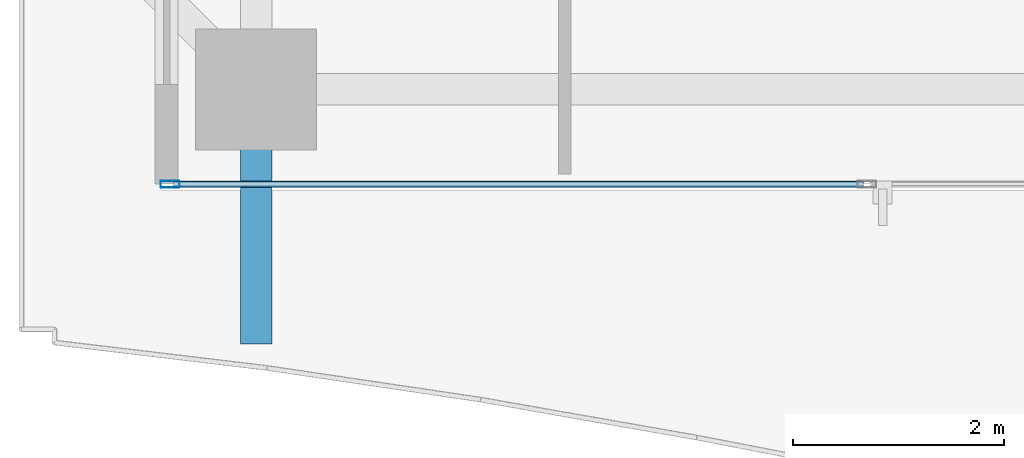
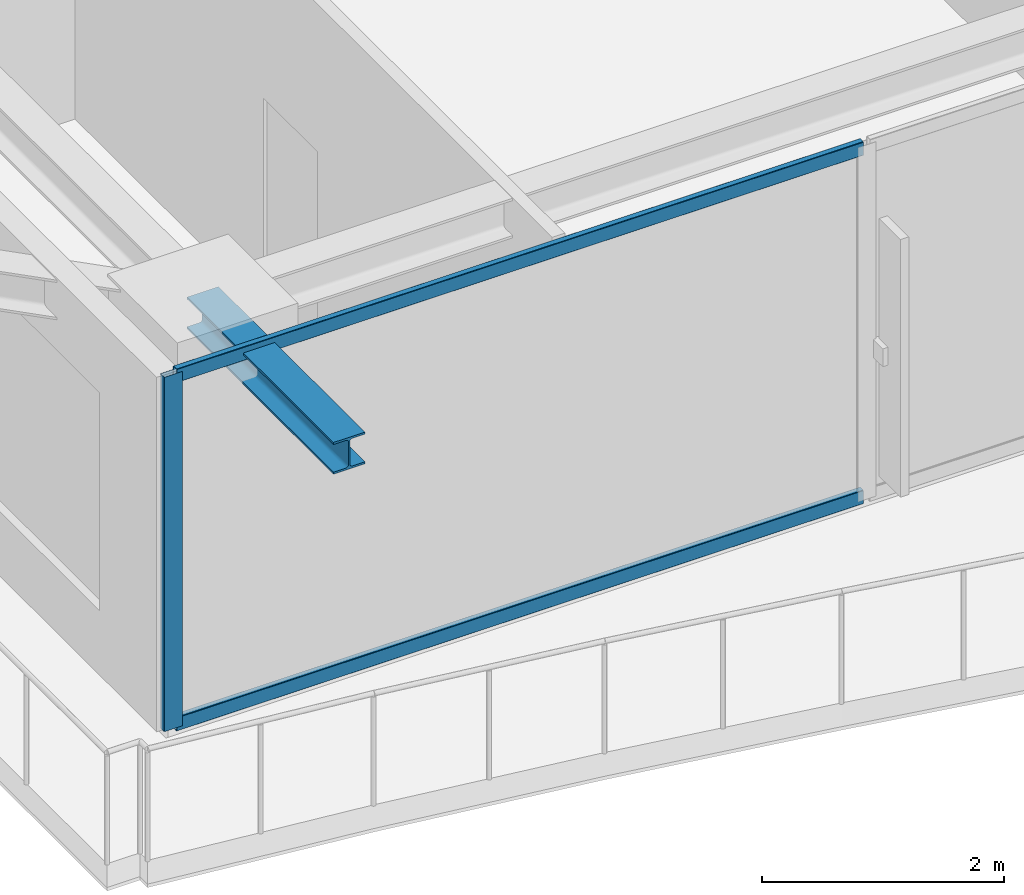
# One storey, part 2 of 38: 3 members, 1 beam, 1 element without a shape of its own.
"""IFC4 building model written with IfcOpenShell, lengths in metres."""

from ifc_helpers import new_model, si_unit, direction, frame, origin, origin_2d, place, context, subcontext, project, spatial, hollow_rectangle, i_section, extrude, source, transform, mapped, material, layer, layer_set, material_profile, profile_set, type_object, element, aggregate, save


model = new_model("IFC4")

# Units and contexts
model_context = context("Model", 3, precision=1e-05, world=origin(), true_north=direction((0.0, 1.0)))
body_context = subcontext(model_context, "Body", "Model", "MODEL_VIEW")
ifc_project = project(units=[si_unit("LENGTHUNIT", "METRE"), si_unit("AREAUNIT", "SQUARE_METRE"), si_unit("VOLUMEUNIT", "CUBIC_METRE"), si_unit("PLANEANGLEUNIT", "RADIAN"), si_unit("MASSUNIT", "GRAM", prefix="KILO")], contexts=[model_context])

# Site, building, storey
site_placement = place(None, origin())
site = spatial("IfcSite", under=ifc_project, at=site_placement, CompositionType="ELEMENT")
building_placement = place(site_placement, origin())
building = spatial("IfcBuilding", under=site, at=building_placement, Name="Serunith Strait Residences", CompositionType="ELEMENT")
storey_placement = place(building_placement, frame((0.0, 0.0, 241.25)))
storey = spatial("IfcBuildingStorey", under=building, at=storey_placement, Name="L60", CompositionType="ELEMENT", Elevation=241.25)

# Beam
ifc_material_1 = material(Name="Steel S355J2", Category="steel")
ifc_material_profile_1 = material_profile(ifc_material_1, i_section(OverallWidth=0.300048828125, OverallDepth=0.320068359375, WebThickness=0.011474609375, FlangeThickness=0.0205078125, FilletRadius=0.027099609375, at=origin_2d()), Name="HEB 320")
ifc_profile_set_1 = profile_set([ifc_material_profile_1], Name="Steel S355J2")
beam_type = type_object("IfcBeamType", Name="BM-HEB320", PredefinedType="BEAM", material=ifc_profile_set_1)
shared_shape_1 = source(origin(), body_context, "Body", "SweptSolid", [
    extrude(i_section(OverallWidth=0.300048828125, OverallDepth=0.320068359375, WebThickness=0.011474609375, FlangeThickness=0.0205078125, FilletRadius=0.027099609375, at=origin_2d()), origin(), (0.0, 0.0, 1.0), 2.42041015625),
])
beam_placement = place(storey_placement, frame((16.25, 2.10009765625, 3.39697265625), z_axis=(0.0, -1.0, 0.0), x_axis=(1.0, 0.0, 0.0)))
element("IfcBeam", 1, at=beam_placement, inside=storey, type_object=beam_type, Name="L61 Cantilevered Balcony Rib TC-S1", PredefinedType="BEAM", context=body_context, shape_type="MappedRepresentation", body=[
    mapped(shared_shape_1, transform((0.0, 0.0, 0.0), scale=1.0)),
])

# Curtain wall, members
ifc_material_2 = material(Name="Pale-Champagne Anodised Aluminium", Category="aluminium")
ifc_layer = layer(ifc_material_2, 0.199951171875, Name="Pale-Champagne Anodised Aluminium")
ifc_layer_set = layer_set([ifc_layer], Name="Pale-Champagne Anodised Aluminium")
curtain_wall_type = type_object("IfcCurtainWallType", Name="CW-SYS4", PredefinedType="NOTDEFINED", material=ifc_layer_set)
curtain_wall_placement = place(storey_placement, origin())
curtain_wall = element("IfcCurtainWall", 2, at=curtain_wall_placement, inside=storey, type_object=curtain_wall_type, Name="L60 S Unitised Fritted Curtain Wall", PredefinedType="NOTDEFINED")
ifc_material_profile_2 = material_profile(ifc_material_2, hollow_rectangle(XDim=0.06494140625, YDim=0.179931640625, WallThickness=0.00341796875, InnerFilletRadius=0.00537109375, OuterFilletRadius=0.0087890625, at=origin_2d()), Name="ALU 180x65x3.5")
ifc_profile_set_2 = profile_set([ifc_material_profile_2], Name="Pale-Champagne Anodised Aluminium")
member_type_1 = type_object("IfcMemberType", Name="CW-SYS4-MULL", PredefinedType="MULLION", material=ifc_profile_set_2)
shared_shape_2 = source(origin(), body_context, "Body", "SweptSolid", [
    extrude(hollow_rectangle(XDim=0.06494140625, YDim=0.179931640625, WallThickness=0.00341796875, InnerFilletRadius=0.00537109375, OuterFilletRadius=0.0087890625, at=origin_2d()), origin(), (0.0, 0.0, 1.0), 3.574951171875),
])
member_1_placement = place(storey_placement, frame((15.4326171875, 1.199951171875, 0.0), z_axis=(0.0, 0.0, 1.0), x_axis=(0.0, 1.0, 0.0)))
member_1 = element("IfcMember", 3, at=member_1_placement, type_object=member_type_1, Name="CW-4 mullion 1", PredefinedType="MULLION", context=body_context, shape_type="MappedRepresentation", body=[
    mapped(shared_shape_2, transform((0.0, 0.0, 0.0), scale=1.0)),
])
ifc_material_profile_3 = material_profile(ifc_material_2, hollow_rectangle(XDim=0.06005859375, YDim=0.139892578125, WallThickness=0.00341796875, InnerFilletRadius=0.00537109375, OuterFilletRadius=0.0087890625, at=origin_2d()), Name="ALU 140x60x3.5")
ifc_profile_set_3 = profile_set([ifc_material_profile_3], Name="Pale-Champagne Anodised Aluminium")
member_type_2 = type_object("IfcMemberType", Name="CW-SYS4-TRAN", PredefinedType="USERDEFINED", material=ifc_profile_set_3)
shared_shape_3 = source(origin(), body_context, "Body", "SweptSolid", [
    extrude(hollow_rectangle(XDim=0.06005859375, YDim=0.139892578125, WallThickness=0.00341796875, InnerFilletRadius=0.00537109375, OuterFilletRadius=0.0087890625, at=origin_2d()), origin(), (0.0, 0.0, 1.0), 6.552490234375),
])
member_2_placement = place(storey_placement, frame((15.465087890625, 1.199951171875, 0.030029296875), z_axis=(1.0, 0.0, 0.0), x_axis=(0.0, 1.0, 0.0)))
member_2 = element("IfcMember", 4, at=member_2_placement, type_object=member_type_2, Name="CW-4 transom 1.1", ObjectType="TRANSOM", PredefinedType="USERDEFINED", context=body_context, shape_type="MappedRepresentation", body=[
    mapped(shared_shape_3, transform((0.0, 0.0, 0.0), scale=1.0)),
])
member_3_placement = place(storey_placement, frame((15.465087890625, 1.199951171875, 3.544921875), z_axis=(1.0, 0.0, 0.0), x_axis=(0.0, 1.0, 0.0)))
member_3 = element("IfcMember", 5, at=member_3_placement, type_object=member_type_2, Name="CW-4 transom 1.2", ObjectType="TRANSOM", PredefinedType="USERDEFINED", context=body_context, shape_type="MappedRepresentation", body=[
    mapped(shared_shape_3, transform((0.0, 0.0, 0.0), scale=1.0)),
])
aggregate(curtain_wall, [member_1, member_2, member_3])

save(model, "model.ifc")
